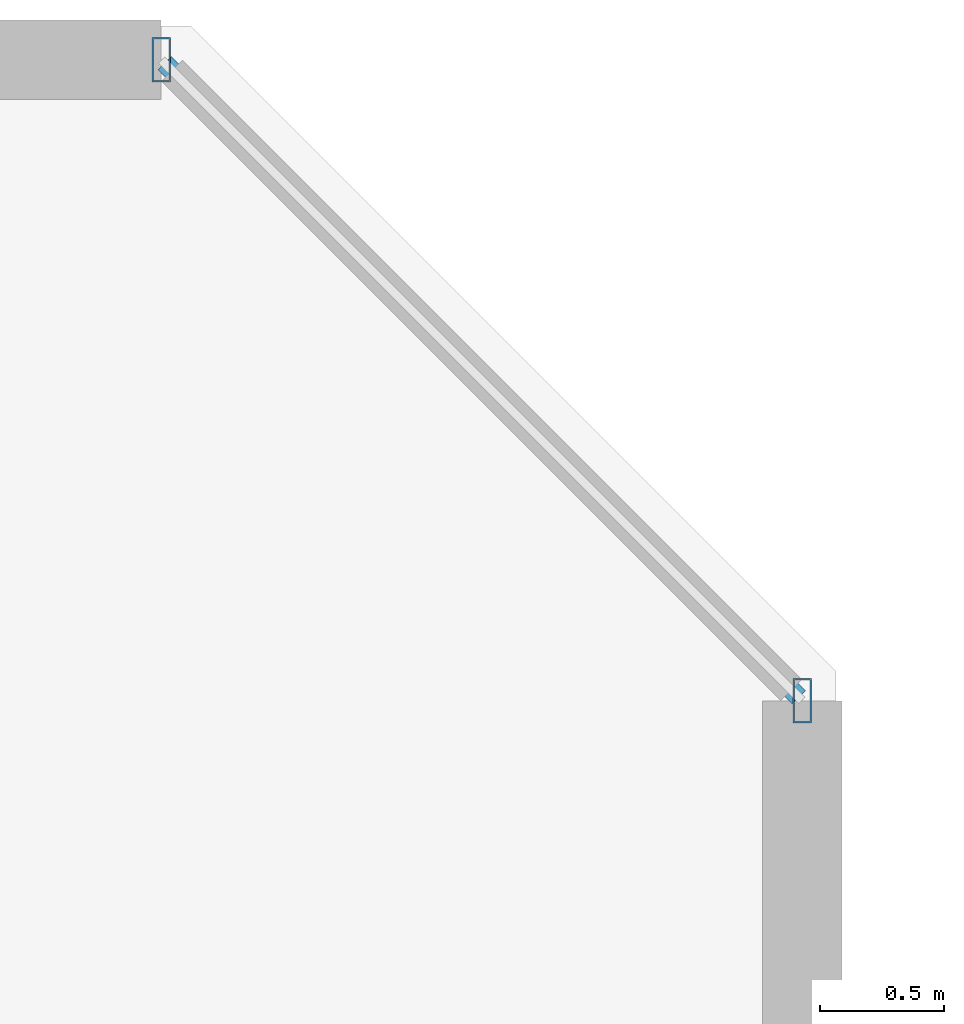
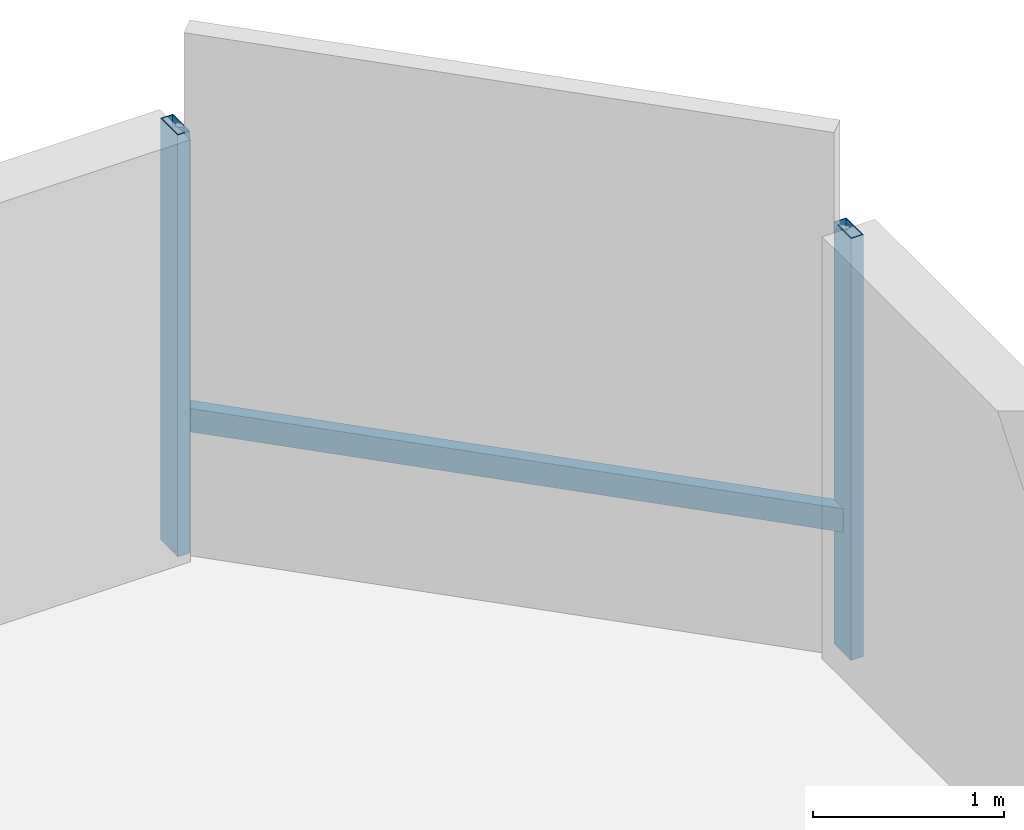
# One storey, part 16 of 31: 3 members, 1 element without a shape of its own.
"""IFC4 building model written with IfcOpenShell, lengths in metres."""

from ifc_helpers import new_model, si_unit, direction, frame, origin, origin_2d, place, context, subcontext, project, spatial, hollow_rectangle, extrude, material, material_profile, profile_set, type_object, element, aggregate, save


model = new_model("IFC4")

# Units and contexts
model_context = context("Model", 3, precision=1e-05, world=origin(), true_north=direction((0.0, 1.0)))
body_context = subcontext(model_context, "Body", "Model", "MODEL_VIEW")
ifc_project = project(units=[si_unit("LENGTHUNIT", "METRE"), si_unit("AREAUNIT", "SQUARE_METRE"), si_unit("VOLUMEUNIT", "CUBIC_METRE"), si_unit("PLANEANGLEUNIT", "RADIAN"), si_unit("MASSUNIT", "GRAM", prefix="KILO")], contexts=[model_context])

# Site, building, storey
site_placement = place(None, origin())
site = spatial("IfcSite", under=ifc_project, at=site_placement, CompositionType="ELEMENT")
building_placement = place(site_placement, origin())
building = spatial("IfcBuilding", under=site, at=building_placement, Name="Thornwick Lancets Civic Towers", CompositionType="ELEMENT")
storey_placement = place(building_placement, frame((0.0, 0.0, 233.10009765625)))
storey = spatial("IfcBuildingStorey", under=building, at=storey_placement, Name="L62", CompositionType="ELEMENT", Elevation=233.10009765625)

# Curtain wall, members
ifc_material_1 = material(Name="High-zone chamfered-corner unitised glass curtain wall", Category="glass")
curtain_wall_type = type_object("IfcCurtainWallType", Name="CW_SYS_05", PredefinedType="NOTDEFINED", material=ifc_material_1)
curtain_wall_placement = place(storey_placement, origin())
curtain_wall = element("IfcCurtainWall", 1, at=curtain_wall_placement, inside=storey, type_object=curtain_wall_type, Name="L62 Curtain Wall CW-L62-B-E3", PredefinedType="NOTDEFINED")
ifc_material_2 = material(Name="Thermally broken bronze aluminium S355", Category="steel")
ifc_material_profile_1 = material_profile(ifc_material_2, hollow_rectangle(XDim=0.074951171875, YDim=0.179931640625, WallThickness=0.006103515625, at=origin_2d()), Name="RHS 180x75x6")
ifc_profile_set_1 = profile_set([ifc_material_profile_1], Name="Thermally broken bronze aluminium S355")
member_type_1 = type_object("IfcMemberType", Name="CW_MUL_180", PredefinedType="MULLION", material=ifc_profile_set_1)
member_1_placement = place(storey_placement, frame((112.2646484375, 42.181396484375, 0.0), z_axis=(0.0, 0.0, 1.0), x_axis=(1.0, 0.0, 0.0)))
member_1 = element("IfcMember", 2, at=member_1_placement, type_object=member_type_1, Name="CW-L62-B-E3 Mullion 0", PredefinedType="MULLION", context=body_context, shape_type="SweptSolid", body=[
    extrude(hollow_rectangle(XDim=0.074951171875, YDim=0.179931640625, WallThickness=0.006103515625, at=origin_2d()), origin(), (0.0, 0.0, 1.0), 2.699951171875),
])
member_2_placement = place(storey_placement, frame((109.681396484375, 44.7646484375, 0.0), z_axis=(0.0, 0.0, 1.0), x_axis=(1.0, 0.0, 0.0)))
member_2 = element("IfcMember", 3, at=member_2_placement, type_object=member_type_1, Name="CW-L62-B-E3 Mullion 1", PredefinedType="MULLION", context=body_context, shape_type="SweptSolid", body=[
    extrude(hollow_rectangle(XDim=0.074951171875, YDim=0.179931640625, WallThickness=0.006103515625, at=origin_2d()), origin(), (0.0, 0.0, 1.0), 2.699951171875),
])
ifc_material_profile_2 = material_profile(ifc_material_2, hollow_rectangle(XDim=0.074951171875, YDim=0.14990234375, WallThickness=0.0048828125, at=origin_2d()), Name="RHS 150x75x5")
ifc_profile_set_2 = profile_set([ifc_material_profile_2], Name="Thermally broken bronze aluminium S355")
member_type_2 = type_object("IfcMemberType", Name="CW_TRN_150", PredefinedType="USERDEFINED", material=ifc_profile_set_2)
member_3_placement = place(storey_placement, frame((112.25048828125, 42.195556640625, 0.849853515625), z_axis=(-0.707106781187, 0.707106781187, 0.0), x_axis=(-0.707106781187, -0.707106781187, 0.0)))
member_3 = element("IfcMember", 4, at=member_3_placement, type_object=member_type_2, Name="CW-L62-B-E3 Transom 0", ObjectType="TRANSOM", PredefinedType="USERDEFINED", context=body_context, shape_type="SweptSolid", body=[
    extrude(hollow_rectangle(XDim=0.074951171875, YDim=0.14990234375, WallThickness=0.0048828125, at=origin_2d()), origin(), (0.0, 0.0, 1.0), 3.61328125),
])
aggregate(curtain_wall, [member_1, member_2, member_3])

save(model, "model.ifc")
